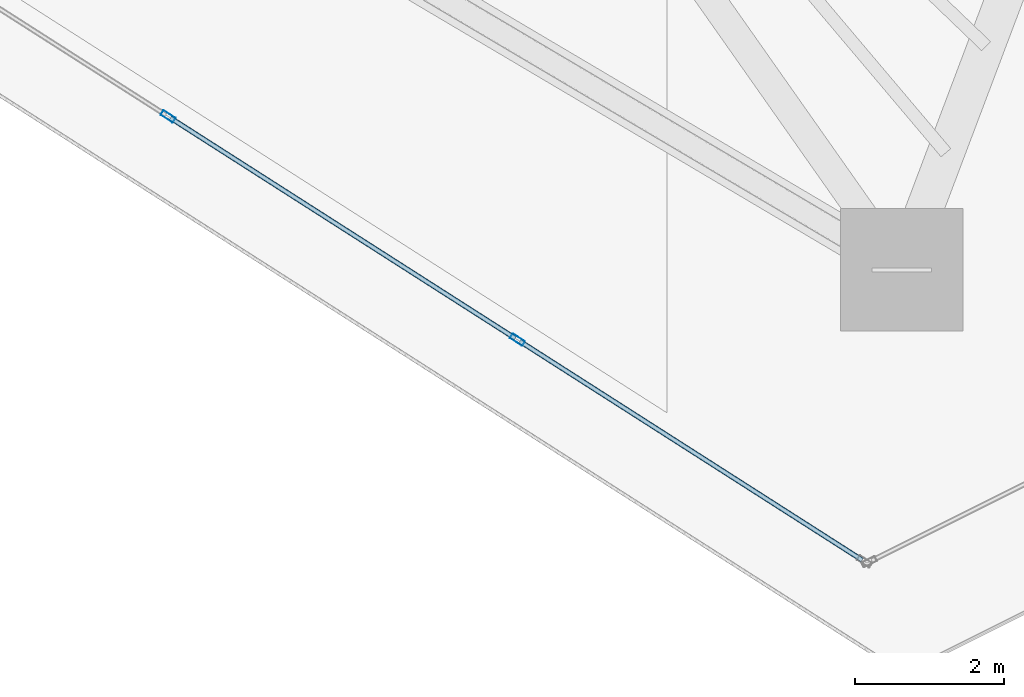
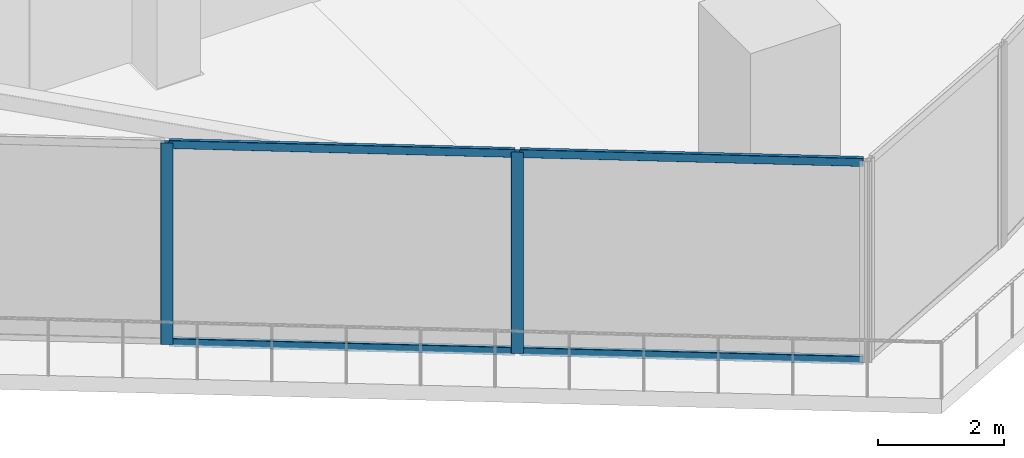
# One storey, part 3 of 34: 6 members, 1 element without a shape of its own.
"""IFC4 building model written with IfcOpenShell, lengths in metres."""

from ifc_helpers import new_model, si_unit, direction, frame, origin, origin_2d, place, context, subcontext, project, spatial, hollow_rectangle, extrude, material, layer, layer_set, material_profile, profile_set, type_object, element, aggregate, save


model = new_model("IFC4")

# Units and contexts
model_context = context("Model", 3, precision=1e-05, world=origin(), true_north=direction((0.0, 1.0)))
body_context = subcontext(model_context, "Body", "Model", "MODEL_VIEW")
ifc_project = project(units=[si_unit("LENGTHUNIT", "METRE"), si_unit("AREAUNIT", "SQUARE_METRE"), si_unit("VOLUMEUNIT", "CUBIC_METRE"), si_unit("PLANEANGLEUNIT", "RADIAN"), si_unit("MASSUNIT", "GRAM", prefix="KILO")], contexts=[model_context])

# Site, building, storey
site_placement = place(None, origin())
site = spatial("IfcSite", under=ifc_project, at=site_placement, CompositionType="ELEMENT")
building_placement = place(site_placement, origin())
building = spatial("IfcBuilding", under=site, at=building_placement, Name="Qorvath Tower", CompositionType="ELEMENT")
storey_placement = place(building_placement, frame((0.0, 0.0, 276.60009765625)))
storey = spatial("IfcBuildingStorey", under=building, at=storey_placement, Name="L64", CompositionType="ELEMENT", Elevation=276.60009765625)

# Curtain wall, members
ifc_material_1 = material(Name="Anodised aluminium and triple low-E glass", Category="aluminium")
ifc_layer = layer(ifc_material_1, 0.179931640625)
ifc_layer_set = layer_set([ifc_layer], Name="CW-SYS-4")
curtain_wall_type = type_object("IfcCurtainWallType", Name="CW-SYS-4", PredefinedType="NOTDEFINED", material=ifc_layer_set)
curtain_wall_placement = place(storey_placement, origin())
curtain_wall = element("IfcCurtainWall", 1, at=curtain_wall_placement, inside=storey, type_object=curtain_wall_type, Name="Curtain Wall CW-4 CW-T-L64-2.1", PredefinedType="NOTDEFINED")
ifc_material_2 = material(Name="Anodised aluminium 6063-T6", Category="aluminium")
ifc_material_profile_1 = material_profile(ifc_material_2, hollow_rectangle(XDim=0.074951171875, YDim=0.199951171875, WallThickness=0.00390625, InnerFilletRadius=0.00390625, OuterFilletRadius=0.008056640625, at=origin_2d()), Name="CWM 200x75")
ifc_profile_set_1 = profile_set([ifc_material_profile_1], Name="Anodised aluminium 6063-T6")
member_type_1 = type_object("IfcMemberType", Name="CWM-200", PredefinedType="MULLION", material=ifc_profile_set_1)
member_1_placement = place(storey_placement, frame((-27.390380859375, -18.03564453125, 0.0), z_axis=(0.0, 0.0, 1.0), x_axis=(0.538533509281, 0.842604094093, 0.0)))
member_1 = element("IfcMember", 2, at=member_1_placement, type_object=member_type_1, Name="CW-4 mullion 6", PredefinedType="MULLION", context=body_context, shape_type="SweptSolid", body=[
    extrude(hollow_rectangle(XDim=0.074951171875, YDim=0.199951171875, WallThickness=0.00390625, InnerFilletRadius=0.00390625, OuterFilletRadius=0.008056640625, at=origin_2d()), origin(), (0.0, 0.0, 1.0), 3.909912109375),
])
member_2_placement = place(storey_placement, frame((-22.687255859375, -21.04150390625, 0.0), z_axis=(0.0, 0.0, 1.0), x_axis=(0.538533509281, 0.842604094093, 0.0)))
member_2 = element("IfcMember", 3, at=member_2_placement, type_object=member_type_1, Name="CW-4 mullion 7", PredefinedType="MULLION", context=body_context, shape_type="SweptSolid", body=[
    extrude(hollow_rectangle(XDim=0.074951171875, YDim=0.199951171875, WallThickness=0.00390625, InnerFilletRadius=0.00390625, OuterFilletRadius=0.008056640625, at=origin_2d()), origin(), (0.0, 0.0, 1.0), 3.909912109375),
])
ifc_material_3 = material(Name="Anodised aluminium 6063-T6", Category="aluminium")
ifc_material_profile_2 = material_profile(ifc_material_3, hollow_rectangle(XDim=0.06494140625, YDim=0.159912109375, WallThickness=0.00341796875, InnerFilletRadius=0.00341796875, OuterFilletRadius=0.007080078125, at=origin_2d()), Name="CWT 160x65")
ifc_profile_set_2 = profile_set([ifc_material_profile_2], Name="Anodised aluminium 6063-T6")
member_type_2 = type_object("IfcMemberType", Name="CWT-160", PredefinedType="USERDEFINED", material=ifc_profile_set_2)
member_3_placement = place(storey_placement, frame((-27.35888671875, -18.0556640625, 0.032470703125), z_axis=(0.842610204835, -0.538523948129, 0.0), x_axis=(0.538523948129, 0.842610204835, 0.0)))
member_3 = element("IfcMember", 4, at=member_3_placement, type_object=member_type_2, Name="CW-4 transom 6.1", ObjectType="TRANSOM", PredefinedType="USERDEFINED", context=body_context, shape_type="SweptSolid", body=[
    extrude(hollow_rectangle(XDim=0.06494140625, YDim=0.159912109375, WallThickness=0.00341796875, InnerFilletRadius=0.00341796875, OuterFilletRadius=0.007080078125, at=origin_2d()), origin(), (0.0, 0.0, 1.0), 5.5068359375),
])
member_4_placement = place(storey_placement, frame((-27.35888671875, -18.0556640625, 3.87744140625), z_axis=(0.842610204835, -0.538523948129, 0.0), x_axis=(0.538523948129, 0.842610204835, 0.0)))
member_4 = element("IfcMember", 5, at=member_4_placement, type_object=member_type_2, Name="CW-4 transom 6.2", ObjectType="TRANSOM", PredefinedType="USERDEFINED", context=body_context, shape_type="SweptSolid", body=[
    extrude(hollow_rectangle(XDim=0.06494140625, YDim=0.159912109375, WallThickness=0.00341796875, InnerFilletRadius=0.00341796875, OuterFilletRadius=0.007080078125, at=origin_2d()), origin(), (0.0, 0.0, 1.0), 5.5068359375),
])
member_5_placement = place(storey_placement, frame((-22.65576171875, -21.061767578125, 0.032470703125), z_axis=(0.842608486836, -0.538526636215, 0.0), x_axis=(0.538526636215, 0.842608486836, 0.0)))
member_5 = element("IfcMember", 6, at=member_5_placement, type_object=member_type_2, Name="CW-4 transom 7.1", ObjectType="TRANSOM", PredefinedType="USERDEFINED", context=body_context, shape_type="SweptSolid", body=[
    extrude(hollow_rectangle(XDim=0.06494140625, YDim=0.159912109375, WallThickness=0.00341796875, InnerFilletRadius=0.00341796875, OuterFilletRadius=0.007080078125, at=origin_2d()), origin(), (0.0, 0.0, 1.0), 5.46923828125),
])
member_6_placement = place(storey_placement, frame((-22.65576171875, -21.061767578125, 3.87744140625), z_axis=(0.842608486836, -0.538526636215, 0.0), x_axis=(0.538526636215, 0.842608486836, 0.0)))
member_6 = element("IfcMember", 7, at=member_6_placement, type_object=member_type_2, Name="CW-4 transom 7.2", ObjectType="TRANSOM", PredefinedType="USERDEFINED", context=body_context, shape_type="SweptSolid", body=[
    extrude(hollow_rectangle(XDim=0.06494140625, YDim=0.159912109375, WallThickness=0.00341796875, InnerFilletRadius=0.00341796875, OuterFilletRadius=0.007080078125, at=origin_2d()), origin(), (0.0, 0.0, 1.0), 5.46923828125),
])
aggregate(curtain_wall, [member_1, member_2, member_3, member_4, member_5, member_6])

save(model, "model.ifc")
